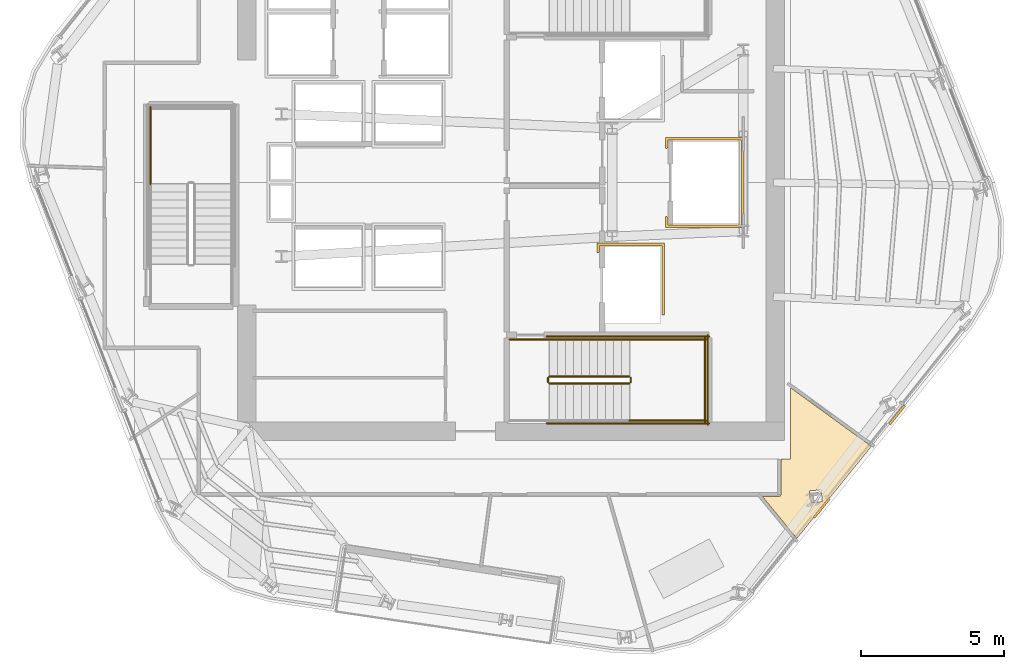
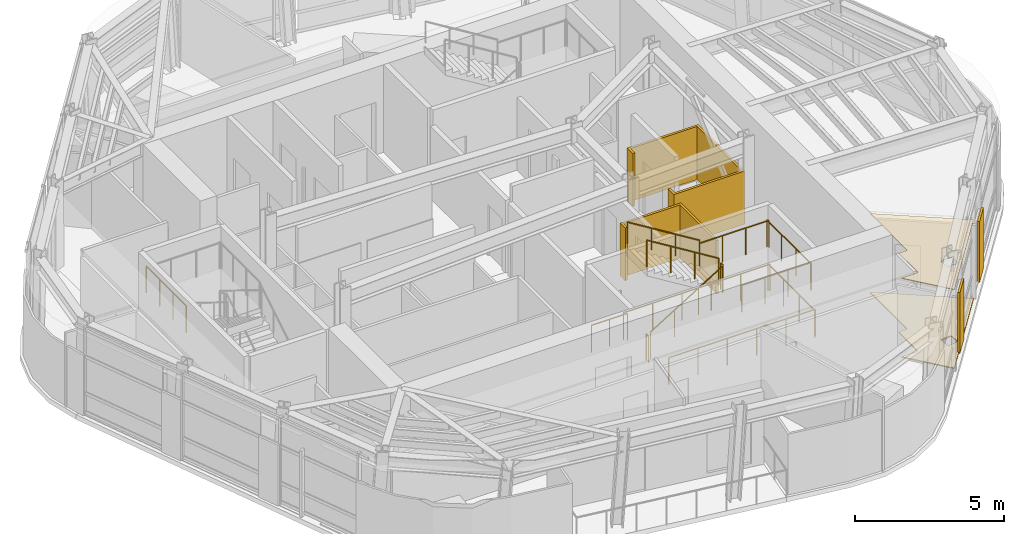
# One storey, part 9 of 12: 13 railings, 6 coverings.
"""IFC4 building model written with IfcOpenShell, lengths in metres."""

from ifc_helpers import new_model, si_unit, direction, frame, origin, origin_2d, place, context, subcontext, project, spatial, polyline, circle, outline, extrude, material, layer, layer_set, type_object, element, save


model = new_model("IFC4")

# Units and contexts
model_context = context("Model", 3, precision=1e-05, world=origin(), true_north=direction((0.0, 1.0)))
body_context = subcontext(model_context, "Body", "Model", "MODEL_VIEW")
ifc_project = project(units=[si_unit("LENGTHUNIT", "METRE"), si_unit("AREAUNIT", "SQUARE_METRE"), si_unit("VOLUMEUNIT", "CUBIC_METRE"), si_unit("PLANEANGLEUNIT", "RADIAN"), si_unit("MASSUNIT", "GRAM", prefix="KILO")], contexts=[model_context])

# Site, building, storey
site_placement = place(None, origin())
site = spatial("IfcSite", under=ifc_project, at=site_placement, CompositionType="ELEMENT")
building_placement = place(site_placement, origin())
building = spatial("IfcBuilding", under=site, at=building_placement, Name="Valkerne Bourse Tower", CompositionType="ELEMENT")
storey_placement = place(building_placement, frame((0.0, 0.0, 243.60009765625)))
storey = spatial("IfcBuildingStorey", under=building, at=storey_placement, Name="L62", CompositionType="ELEMENT", Elevation=243.60009765625)

# Coverings
ifc_material_1 = material(Name="Mineral Fiber Acoustic Ceiling Tile", Category="acoustic")
ifc_layer_1 = layer(ifc_material_1, 0.02490234375)
ifc_layer_set_1 = layer_set([ifc_layer_1], Name="Mineral Fiber Acoustic Ceiling Tile")
covering_type_1 = type_object("IfcCoveringType", Name="COV-CEIL-ACT", PredefinedType="CEILING", material=ifc_layer_set_1)
covering_1_placement = place(storey_placement, frame((0.0, 0.0, 3.25)))
element("IfcCovering", 1, at=covering_1_placement, inside=storey, type_object=covering_type_1, Name="L62 Suspended Ceiling 11", PredefinedType="CEILING", context=body_context, shape_type="SweptSolid", body=[
    extrude(outline(polyline([(56.20458984375, 15.9912109375), (56.24609375, 16.00830078125), (56.26708984375, 16.043701171875), (56.268798828125, 17.300048828125), (56.60009765625, 17.300048828125), (56.60009765625, 19.806884765625), (59.439208984375, 17.744140625), (56.826904296875, 14.516357421875), (55.61572265625, 15.990966796875), (56.20458984375, 15.9912109375)]), holes=[polyline([(57.71875, 15.81005859375), (57.68115234375, 16.222412109375), (57.271484375, 16.185791015625), (57.269775390625, 16.184326171875), (57.307373046875, 15.77197265625), (57.71728515625, 15.80859375), (57.71875, 15.81005859375)])]), origin(), (0.0, 0.0, 1.0), 0.02490234375),
])
ifc_material_2 = material(Name="Bronze Anodised Aluminium AA 6063-T6", Category="aluminium")
ifc_layer_2 = layer(ifc_material_2, 0.06005859375)
ifc_layer_set_2 = layer_set([ifc_layer_2], Name="Bronze Anodised Aluminium AA 6063-T6")
covering_type_2 = type_object("IfcCoveringType", Name="COV-CRN-ALUM", PredefinedType="CLADDING", material=ifc_layer_set_2)
covering_2_placement = place(storey_placement, origin())
element("IfcCovering", 2, at=covering_2_placement, inside=storey, type_object=covering_type_2, Name="L62 Wind-Shaped Corner Aluminium Cladding 14", PredefinedType="CLADDING", context=body_context, shape_type="SweptSolid", body=[
    extrude(outline(polyline([(60.107177734375, 18.499267578125), (60.044677734375, 18.54931640625), (60.572998046875, 19.202392578125), (60.635498046875, 19.15234375), (60.107177734375, 18.499267578125)])), origin(), (0.0, 0.0, 1.0), 2.5),
])
covering_3_placement = place(storey_placement, origin())
element("IfcCovering", 3, at=covering_3_placement, inside=storey, type_object=covering_type_2, Name="L62 Wind-Shaped Corner Aluminium Cladding 15", PredefinedType="CLADDING", context=body_context, shape_type="SweptSolid", body=[
    extrude(outline(polyline([(57.457275390625, 15.22509765625), (57.394775390625, 15.275146484375), (57.92333984375, 15.927978515625), (57.98583984375, 15.878173828125), (57.457275390625, 15.22509765625)])), origin(), (0.0, 0.0, 1.0), 2.5),
])
ifc_material_3 = material(Name="Galvanised Painted Steel", Category="steel")
ifc_layer_3 = layer(ifc_material_3, 0.044921875)
ifc_layer_set_3 = layer_set([ifc_layer_3], Name="Galvanised Painted Steel")
covering_type_3 = type_object("IfcCoveringType", Name="COV-FLR-RAF", PredefinedType="FLOORING", material=ifc_layer_set_3)
covering_4_placement = place(storey_placement, origin())
element("IfcCovering", 4, at=covering_4_placement, inside=storey, type_object=covering_type_3, Name="L62 Floor Finish 11", PredefinedType="FLOORING", context=body_context, shape_type="SweptSolid", body=[
    extrude(outline(polyline([(56.20458984375, 15.9912109375), (56.24609375, 16.00830078125), (56.26708984375, 16.043701171875), (56.268798828125, 17.300048828125), (56.60009765625, 17.300048828125), (56.60009765625, 19.806884765625), (59.439208984375, 17.744140625), (56.826904296875, 14.516357421875), (55.61572265625, 15.990966796875), (56.20458984375, 15.9912109375)]), holes=[polyline([(57.71875, 15.81005859375), (57.68115234375, 16.222412109375), (57.271484375, 16.185791015625), (57.269775390625, 16.184326171875), (57.307373046875, 15.77197265625), (57.71728515625, 15.80859375), (57.71875, 15.81005859375)])]), origin(), (0.0, 0.0, 1.0), 0.044921875),
])
ifc_material_4 = material(Name="Gypsum Shaftwall Liner Board", Category="gypsum")
ifc_layer_4 = layer(ifc_material_4, 0.080078125)
ifc_layer_set_4 = layer_set([ifc_layer_4], Name="Gypsum Shaftwall Liner Board")
covering_type_4 = type_object("IfcCoveringType", Name="COV-SHF-CLAD", PredefinedType="CLADDING", material=ifc_layer_set_4)
covering_5_placement = place(storey_placement, origin())
element("IfcCovering", 5, at=covering_5_placement, inside=storey, type_object=covering_type_4, Name="L62 Hoistway & Riser Shaftwall Liner 05", PredefinedType="CLADDING", context=body_context, shape_type="SweptSolid", body=[
    extrude(outline(polyline([(52.179931640625, 22.35009765625), (52.090087890625, 22.35009765625), (52.090087890625, 24.7900390625), (49.909912109375, 24.7900390625), (49.909912109375, 24.560791015625), (49.869384765625, 24.550537109375), (49.827880859375, 24.53564453125), (49.820068359375, 24.531982421875), (49.820068359375, 24.8798828125), (52.179931640625, 24.8798828125), (52.179931640625, 22.35009765625)])), origin(), (0.0, 0.0, 1.0), 2.179931640625),
])
covering_6_placement = place(storey_placement, origin())
element("IfcCovering", 6, at=covering_6_placement, inside=storey, type_object=covering_type_4, Name="L62 Hoistway & Riser Shaftwall Liner 06", PredefinedType="CLADDING", context=body_context, shape_type="SweptSolid", body=[
    extrude(outline(polyline([(54.97998046875, 25.419921875), (52.219970703125, 25.419921875), (52.219970703125, 25.81787109375), (52.227783203125, 25.814208984375), (52.269287109375, 25.79931640625), (52.31005859375, 25.789306640625), (52.31005859375, 25.510009765625), (54.889892578125, 25.510009765625), (54.889892578125, 28.489990234375), (52.31005859375, 28.489990234375), (52.31005859375, 28.210693359375), (52.269287109375, 28.20068359375), (52.227783203125, 28.185791015625), (52.219970703125, 28.18212890625), (52.219970703125, 28.580078125), (54.97998046875, 28.580078125), (54.97998046875, 25.419921875)])), origin(), (0.0, 0.0, 1.0), 2.179931640625),
])

# Railings
railing_type_1 = type_object("IfcRailingType", Name="RLG-ST-GUARD-1120", PredefinedType="GUARDRAIL", material=ifc_material_3)
railing_1_placement = place(storey_placement, frame((48.14990234375, 19.949951171875, 0.172607421875)))
element("IfcRailing", 7, at=railing_1_placement, inside=storey, type_object=railing_type_1, Name="L62 ST-1 stair guard 1", PredefinedType="GUARDRAIL", context=body_context, shape_type="SweptSolid", body=[
    extrude(circle(Radius=0.02392578125, at=origin_2d()), frame((0.0, 0.0, 1.09619140625), z_axis=(0.851089632645, 0.0, 0.525020415988), x_axis=(0.0, 1.0, 0.0)), (0.0, 0.0, 1.0), 3.2900390625),
    extrude(circle(Radius=0.02099609375, at=origin_2d()), origin(), (0.0, 0.0, 1.0), 1.072021484375),
    extrude(circle(Radius=0.02099609375, at=origin_2d()), frame((0.933349609375, 0.0, 0.57568359375)), (0.0, 0.0, 1.0), 1.072021484375),
    extrude(circle(Radius=0.02099609375, at=origin_2d()), frame((1.86669921875, 0.0, 1.151611328125)), (0.0, 0.0, 1.0), 1.072021484375),
    extrude(circle(Radius=0.02099609375, at=origin_2d()), frame((2.800048828125, 0.0, 1.727294921875)), (0.0, 0.0, 1.0), 1.072021484375),
])
railing_2_placement = place(storey_placement, frame((51.0, 20.0, 1.89990234375)))
element("IfcRailing", 8, at=railing_2_placement, inside=storey, type_object=railing_type_1, Name="L62 ST-1 stair guard 2", PredefinedType="GUARDRAIL", context=body_context, shape_type="SweptSolid", body=[
    extrude(circle(Radius=0.02392578125, at=origin_2d()), frame((0.0, 0.0, 1.09619140625), z_axis=(0.0, 1.0, 0.0), x_axis=(-1.0, 0.0, 0.0)), (0.0, 0.0, 1.0), 0.14990234375),
    extrude(circle(Radius=0.02099609375, at=origin_2d()), origin(), (0.0, 0.0, 1.0), 1.072021484375),
    extrude(circle(Radius=0.02099609375, at=origin_2d()), frame((0.0, 0.14990234375, 0.0)), (0.0, 0.0, 1.0), 1.072021484375),
])
for number, where, name in (
    (9, (50.949951171875, 18.64990234375, 1.89990234375), "L62 ST-1 stair guard 3"),
    (10, (50.949951171875, 21.5, 1.89990234375), "L62 ST-1 stair guard 4"),
):
    element("IfcRailing", number, at=place(storey_placement, frame(where)), inside=storey, type_object=railing_type_1, Name=name, PredefinedType="GUARDRAIL", context=body_context, shape_type="SweptSolid", body=[
        extrude(circle(Radius=0.02392578125, at=origin_2d()), frame((0.0, 0.0, 1.09619140625), z_axis=(1.0, 0.0, 0.0), x_axis=(0.0, 1.0, 0.0)), (0.0, 0.0, 1.0), 2.699951171875),
        extrude(circle(Radius=0.02099609375, at=origin_2d()), origin(), (0.0, 0.0, 1.0), 1.072021484375),
        extrude(circle(Radius=0.02099609375, at=origin_2d()), frame((0.89990234375, 0.0, 0.0)), (0.0, 0.0, 1.0), 1.072021484375),
        extrude(circle(Radius=0.02099609375, at=origin_2d()), frame((1.800048828125, 0.0, 0.0)), (0.0, 0.0, 1.0), 1.072021484375),
        extrude(circle(Radius=0.02099609375, at=origin_2d()), frame((2.699951171875, 0.0, 0.0)), (0.0, 0.0, 1.0), 1.072021484375),
    ])
railing_3_placement = place(storey_placement, frame((53.60009765625, 18.60009765625, 1.89990234375)))
element("IfcRailing", 11, at=railing_3_placement, inside=storey, type_object=railing_type_1, Name="L62 ST-1 stair guard 5", PredefinedType="GUARDRAIL", context=body_context, shape_type="SweptSolid", body=[
    extrude(circle(Radius=0.02392578125, at=origin_2d()), frame((0.0, 0.0, 1.09619140625), z_axis=(0.0, 1.0, 0.0), x_axis=(-1.0, 0.0, 0.0)), (0.0, 0.0, 1.0), 2.949951171875),
    extrude(circle(Radius=0.02099609375, at=origin_2d()), origin(), (0.0, 0.0, 1.0), 1.072021484375),
    extrude(circle(Radius=0.02099609375, at=origin_2d()), frame((0.0, 0.9833984375, 0.0)), (0.0, 0.0, 1.0), 1.072021484375),
    extrude(circle(Radius=0.02099609375, at=origin_2d()), frame((0.0, 1.966552734375, 0.0)), (0.0, 0.0, 1.0), 1.072021484375),
    extrude(circle(Radius=0.02099609375, at=origin_2d()), frame((0.0, 2.949951171875, 0.0)), (0.0, 0.0, 1.0), 1.072021484375),
])
railing_4_placement = place(storey_placement, frame((50.949951171875, 20.199951171875, 2.072509765625)))
element("IfcRailing", 12, at=railing_4_placement, inside=storey, type_object=railing_type_1, Name="L62 ST-1 stair guard 6", PredefinedType="GUARDRAIL", context=body_context, shape_type="SweptSolid", body=[
    extrude(circle(Radius=0.02392578125, at=origin_2d()), frame((0.0, 0.0, 1.09619140625), z_axis=(-0.851089632645, 0.0, 0.525020415988), x_axis=(0.0, -1.0, 0.0)), (0.0, 0.0, 1.0), 3.2900390625),
    extrude(circle(Radius=0.02099609375, at=origin_2d()), origin(), (0.0, 0.0, 1.0), 1.072021484375),
    extrude(circle(Radius=0.02099609375, at=origin_2d()), frame((-0.933349609375, 0.0, 0.57568359375)), (0.0, 0.0, 1.0), 1.072021484375),
    extrude(circle(Radius=0.02099609375, at=origin_2d()), frame((-1.86669921875, 0.0, 1.151611328125)), (0.0, 0.0, 1.0), 1.072021484375),
    extrude(circle(Radius=0.02099609375, at=origin_2d()), frame((-2.800048828125, 0.0, 1.727294921875)), (0.0, 0.0, 1.0), 1.072021484375),
])
railing_5_placement = place(storey_placement, frame((48.10009765625, 20.0, 0.0)))
element("IfcRailing", 13, at=railing_5_placement, inside=storey, type_object=railing_type_1, Name="L62 ST-1 stair guard 7", PredefinedType="GUARDRAIL", context=body_context, shape_type="SweptSolid", body=[
    extrude(circle(Radius=0.02392578125, at=origin_2d()), frame((0.0, 0.0, 1.09619140625), z_axis=(0.0, 1.0, 0.0), x_axis=(-1.0, 0.0, 0.0)), (0.0, 0.0, 1.0), 0.14990234375),
    extrude(circle(Radius=0.02099609375, at=origin_2d()), origin(), (0.0, 0.0, 1.0), 1.072021484375),
    extrude(circle(Radius=0.02099609375, at=origin_2d()), frame((0.0, 0.14990234375, 0.0)), (0.0, 0.0, 1.0), 1.072021484375),
])
railing_6_placement = place(storey_placement, frame((46.75, 21.5, 0.0)))
element("IfcRailing", 14, at=railing_6_placement, inside=storey, type_object=railing_type_1, Name="L62 ST-1 stair guard 9", PredefinedType="GUARDRAIL", context=body_context, shape_type="SweptSolid", body=[
    extrude(circle(Radius=0.02392578125, at=origin_2d()), frame((0.0, 0.0, 1.09619140625), z_axis=(1.0, 0.0, 0.0), x_axis=(0.0, 1.0, 0.0)), (0.0, 0.0, 1.0), 1.39990234375),
    extrude(circle(Radius=0.02099609375, at=origin_2d()), origin(), (0.0, 0.0, 1.0), 1.072021484375),
    extrude(circle(Radius=0.02099609375, at=origin_2d()), frame((0.699951171875, 0.0, 0.0)), (0.0, 0.0, 1.0), 1.072021484375),
    extrude(circle(Radius=0.02099609375, at=origin_2d()), frame((1.39990234375, 0.0, 0.0)), (0.0, 0.0, 1.0), 1.072021484375),
])
for number, where, name in (
    (15, (48.050048828125, 18.550048828125, 0.0), "L62 ST-1 stair guard 10"),
    (16, (48.050048828125, 21.60009765625, 0.0), "L62 ST-1 stair guard 11"),
):
    element("IfcRailing", number, at=place(storey_placement, frame(where)), inside=storey, type_object=railing_type_1, Name=name, PredefinedType="GUARDRAIL", context=body_context, shape_type="SweptSolid", body=[
        extrude(circle(Radius=0.02392578125, at=origin_2d()), frame((0.0, 0.0, 1.09619140625), z_axis=(1.0, 0.0, 0.0), x_axis=(0.0, 1.0, 0.0)), (0.0, 0.0, 1.0), 5.699951171875),
        extrude(circle(Radius=0.02099609375, at=origin_2d()), origin(), (0.0, 0.0, 1.0), 1.072021484375),
        extrude(circle(Radius=0.02099609375, at=origin_2d()), frame((1.139892578125, 0.0, 0.0)), (0.0, 0.0, 1.0), 1.072021484375),
        extrude(circle(Radius=0.02099609375, at=origin_2d()), frame((2.280029296875, 0.0, 0.0)), (0.0, 0.0, 1.0), 1.072021484375),
        extrude(circle(Radius=0.02099609375, at=origin_2d()), frame((3.419921875, 0.0, 0.0)), (0.0, 0.0, 1.0), 1.072021484375),
        extrude(circle(Radius=0.02099609375, at=origin_2d()), frame((4.56005859375, 0.0, 0.0)), (0.0, 0.0, 1.0), 1.072021484375),
        extrude(circle(Radius=0.02099609375, at=origin_2d()), frame((5.699951171875, 0.0, 0.0)), (0.0, 0.0, 1.0), 1.072021484375),
    ])
railing_7_placement = place(storey_placement, frame((53.699951171875, 18.5, 0.0)))
element("IfcRailing", 17, at=railing_7_placement, inside=storey, type_object=railing_type_1, Name="L62 ST-1 stair guard 12", PredefinedType="GUARDRAIL", context=body_context, shape_type="SweptSolid", body=[
    extrude(circle(Radius=0.02392578125, at=origin_2d()), frame((0.0, 0.0, 1.09619140625), z_axis=(0.0, 1.0, 0.0), x_axis=(-1.0, 0.0, 0.0)), (0.0, 0.0, 1.0), 3.14990234375),
    extrude(circle(Radius=0.02099609375, at=origin_2d()), origin(), (0.0, 0.0, 1.0), 1.072021484375),
    extrude(circle(Radius=0.02099609375, at=origin_2d()), frame((0.0, 1.050048828125, 0.0)), (0.0, 0.0, 1.0), 1.072021484375),
    extrude(circle(Radius=0.02099609375, at=origin_2d()), frame((0.0, 2.099853515625, 0.0)), (0.0, 0.0, 1.0), 1.072021484375),
    extrude(circle(Radius=0.02099609375, at=origin_2d()), frame((0.0, 3.14990234375, 0.0)), (0.0, 0.0, 1.0), 1.072021484375),
])
railing_8_placement = place(storey_placement, frame((34.14990234375, 26.949951171875, 1.89990234375)))
element("IfcRailing", 18, at=railing_8_placement, inside=storey, type_object=railing_type_1, Name="L62 ST-3 stair guard 4", PredefinedType="GUARDRAIL", context=body_context, shape_type="SweptSolid", body=[
    extrude(circle(Radius=0.02392578125, at=origin_2d()), frame((0.0, 0.0, 1.09619140625), z_axis=(0.0, 1.0, 0.0), x_axis=(-1.0, 0.0, 0.0)), (0.0, 0.0, 1.0), 2.699951171875),
    extrude(circle(Radius=0.02099609375, at=origin_2d()), origin(), (0.0, 0.0, 1.0), 1.072021484375),
    extrude(circle(Radius=0.02099609375, at=origin_2d()), frame((0.0, 0.89990234375, 0.0)), (0.0, 0.0, 1.0), 1.072021484375),
    extrude(circle(Radius=0.02099609375, at=origin_2d()), frame((0.0, 1.800048828125, 0.0)), (0.0, 0.0, 1.0), 1.072021484375),
    extrude(circle(Radius=0.02099609375, at=origin_2d()), frame((0.0, 2.699951171875, 0.0)), (0.0, 0.0, 1.0), 1.072021484375),
])
ifc_material_5 = material(Name="Stainless Steel AISI 316", Category="steel")
railing_type_2 = type_object("IfcRailingType", Name="RLG-ST-HANDRAIL-900", PredefinedType="HANDRAIL", material=ifc_material_5)
railing_9_placement = place(storey_placement, frame((50.949951171875, 21.5, 2.245361328125)))
element("IfcRailing", 19, at=railing_9_placement, inside=storey, type_object=railing_type_2, Name="L62 ST-1 stair handrail 2", PredefinedType="HANDRAIL", context=body_context, shape_type="SweptSolid", body=[
    extrude(circle(Radius=0.02392578125, at=origin_2d()), frame((0.0, 0.0, 0.8759765625), z_axis=(-0.851089632645, 0.0, 0.525020415988), x_axis=(0.0, -1.0, 0.0)), (0.0, 0.0, 1.0), 3.2900390625),
    extrude(circle(Radius=0.02099609375, at=origin_2d()), origin(), (0.0, 0.0, 1.0), 0.851806640625),
    extrude(circle(Radius=0.02099609375, at=origin_2d()), frame((-0.933349609375, 0.0, 0.57568359375)), (0.0, 0.0, 1.0), 0.851806640625),
    extrude(circle(Radius=0.02099609375, at=origin_2d()), frame((-1.86669921875, 0.0, 1.151611328125)), (0.0, 0.0, 1.0), 0.851806640625),
    extrude(circle(Radius=0.02099609375, at=origin_2d()), frame((-2.800048828125, 0.0, 1.727294921875)), (0.0, 0.0, 1.0), 0.851806640625),
])

save(model, "model.ifc")
